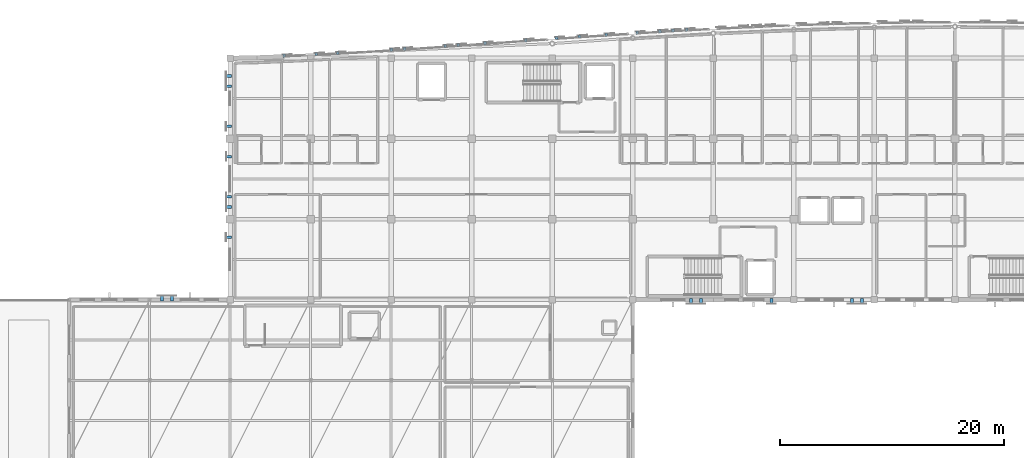
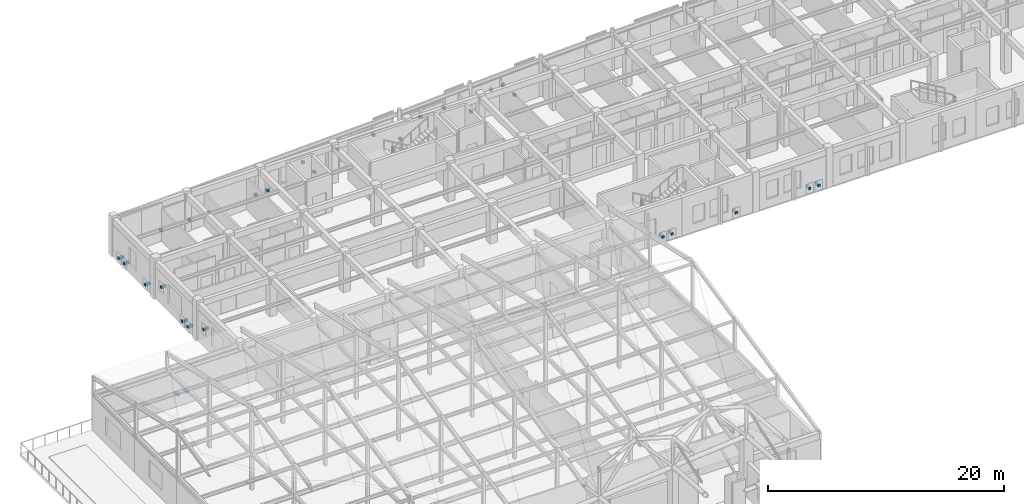
# One storey, part 103 of 113: 30 discrete accessories.
"""IFC4 building model written with IfcOpenShell, lengths in metres."""

import ifcopenshell
import ifcopenshell.guid

model = None  # the IFC model being written
_history = None  # IfcOwnerHistory: only IFC2X3 demands one
_inside = {}  # id of a spatial element -> (the spatial element, [elements in it])
_under = {}  # id of a project, library or spatial element -> (it, [spatial elements below it])
_declared = {}  # id of a project -> (the project, [libraries it declares])
_typed = {}  # id of a type object -> (the type object, [elements of that type])
_made_of = {}  # id of a material, layer set ... -> (it, [elements and type objects made of it])


def new_model(schema):
    """Start an empty IFC model of exactly this schema.

    Asked for "IFC4X3", IfcOpenShell would pick the latest addendum, in which some entities
    have other attributes; the version numbers below select the first issue.
    IFC2X3 requires an IfcOwnerHistory on every rooted entity: one is made here for all.
    """
    global model, _history
    if schema == "IFC4X3":
        model = ifcopenshell.file(schema_version=(4, 3, 0, 0))
    else:
        model = ifcopenshell.file(schema=schema)
    _inside.clear()
    _under.clear()
    _declared.clear()
    _typed.clear()
    _made_of.clear()
    _history = None
    if model.schema == "IFC2X3":
        org = make("IfcOrganization", Name="unknown")
        user = make(
            "IfcPersonAndOrganization",
            ThePerson=make("IfcPerson", FamilyName="unknown"),
            TheOrganization=org,
        )
        app = make(
            "IfcApplication",
            ApplicationDeveloper=org,
            Version="unknown",
            ApplicationFullName="unknown",
            ApplicationIdentifier="unknown",
        )
        _history = make(
            "IfcOwnerHistory",
            OwningUser=user,
            OwningApplication=app,
            ChangeAction="ADDED",
            CreationDate=0,
        )
    return model


def make(cls, **values):
    """One entity of the class cls with the attributes given. An attribute that is None is left unset."""
    return model.create_entity(
        cls, **{name: value for name, value in values.items() if value is not None}
    )


def rooted(cls, **values):
    """An entity with a GlobalId (a new one), such as an element, a storey or a relation."""
    return make(cls, GlobalId=ifcopenshell.guid.new(), OwnerHistory=_history, **values)


def si_unit(unit_type, name, prefix=None):
    """IfcSIUnit, for example si_unit("LENGTHUNIT", "METRE", prefix="MILLI")."""
    return make("IfcSIUnit", UnitType=unit_type, Prefix=prefix, Name=name)


def assignment(units):
    """IfcUnitAssignment: the units of a project."""
    return None if units is None else make("IfcUnitAssignment", Units=units)


def point(xyz):
    """IfcCartesianPoint."""
    return None if xyz is None else make("IfcCartesianPoint", Coordinates=xyz)


def direction(xyz):
    """IfcDirection."""
    return None if xyz is None else make("IfcDirection", DirectionRatios=xyz)


def frame(location, z_axis=None, x_axis=None):
    """IfcAxis2Placement3D, a coordinate frame: its origin and axes. An axis left out is left unset."""
    return make(
        "IfcAxis2Placement3D",
        Location=point(location),
        Axis=direction(z_axis),
        RefDirection=direction(x_axis),
    )


def frame_2d(location, x_axis=None):
    """IfcAxis2Placement2D, a coordinate frame in the plane: its origin and x axis."""
    return make(
        "IfcAxis2Placement2D", Location=point(location), RefDirection=direction(x_axis)
    )


def origin():
    """The frame at (0, 0, 0) with its axes left unset."""
    return frame((0.0, 0.0, 0.0))


def origin_2d():
    """The frame at (0, 0) in the plane with its x axis left unset."""
    return frame_2d((0.0, 0.0))


def place(relative_to, where):
    """IfcLocalPlacement: puts the frame where relative to a parent placement (None: the world)."""
    return make(
        "IfcLocalPlacement", PlacementRelTo=relative_to, RelativePlacement=where
    )


def context(
    kind, dimensions, precision=None, world=None, true_north=None, identifier=None
):
    """IfcGeometricRepresentationContext, for example the 3D "Model" context."""
    return make(
        "IfcGeometricRepresentationContext",
        ContextIdentifier=identifier,
        ContextType=kind,
        CoordinateSpaceDimension=dimensions,
        Precision=precision,
        WorldCoordinateSystem=world,
        TrueNorth=true_north,
    )


def subcontext(parent, identifier, kind, view, scale=None):
    """IfcGeometricRepresentationSubContext, for example "Body" below "Model"."""
    return make(
        "IfcGeometricRepresentationSubContext",
        ContextIdentifier=identifier,
        ContextType=kind,
        ParentContext=parent,
        TargetScale=scale,
        TargetView=view,
    )


def project(units=None, contexts=None):
    """IfcProject with its units and contexts."""
    return rooted(
        "IfcProject",
        Name="project",
        RepresentationContexts=contexts,
        UnitsInContext=assignment(units),
    )


def spatial(cls, under=None, at=None, **own):
    """A site, building, storey or space (cls), placed at a placement, below another one or the project."""
    s = rooted(cls, ObjectPlacement=at, **own)
    if under is not None:
        _under.setdefault(under.id(), (under, []))[1].append(s)
    return s


def profile(cls, at=None, kind="AREA", **sizes):
    """A parametric profile (cls). Its sizes go by their IFC names, for example OverallWidth=200.0."""
    return make(cls, ProfileType=kind, Position=at, **sizes)


def rectangle(**sizes):
    """IfcRectangleProfileDef."""
    return profile("IfcRectangleProfileDef", **sizes)


def extrude(swept, where, along, depth):
    """IfcExtrudedAreaSolid: the profile swept, set in the frame where, extruded along a direction by depth."""
    return make(
        "IfcExtrudedAreaSolid",
        SweptArea=swept,
        Position=where,
        ExtrudedDirection=direction(along),
        Depth=depth,
    )


def shape(context_of_items, identifier, shape_type, items):
    """IfcShapeRepresentation: the items that make up one representation, for example the "Body"."""
    return make(
        "IfcShapeRepresentation",
        ContextOfItems=context_of_items,
        RepresentationIdentifier=identifier,
        RepresentationType=shape_type,
        Items=items,
    )


def material(Name=None, Category=None):
    """IfcMaterial."""
    return make("IfcMaterial", Name=Name, Category=Category)


def made_of(thing, what):
    """Note that an element or type object is made of a material, layer set ...; save() writes the relation."""
    if what is not None:
        _made_of.setdefault(what.id(), (what, []))[1].append(thing)
    return thing


def type_object(cls, material=None, **own):
    """A type object (cls), such as IfcWallType, which elements share."""
    return made_of(rooted(cls, **own), material)


def element(
    cls,
    number,
    at=None,
    inside=None,
    cuts=None,
    type_object=None,
    material=None,
    context=None,
    identifier="Body",
    shape_type=None,
    held_by="IfcProductDefinitionShape",
    body=None,
    shapes=None,
    **own,
):
    """One element of the class cls, such as IfcWall. Its Tag is "e" and its number.

    at: its placement. inside: the storey or other place that contains it. cuts: it is an
    opening in that element (IfcRelVoidsElement). A single representation is given by context,
    identifier, shape_type and body (its items); several are given by shapes. held_by: the class
    of the entity that holds the representations. save() writes the other relations.
    """
    e = rooted(cls, Tag="e%d" % number, ObjectPlacement=at, **own)
    if body is not None:
        shapes = [shape(context, identifier, shape_type, body)]
    if shapes is not None:
        e.Representation = make(held_by, Representations=shapes)
    if inside is not None:
        _inside.setdefault(inside.id(), (inside, []))[1].append(e)
    if cuts is not None:
        rooted(
            "IfcRelVoidsElement", RelatingBuildingElement=cuts, RelatedOpeningElement=e
        )
    if type_object is not None:
        _typed.setdefault(type_object.id(), (type_object, []))[1].append(e)
    return made_of(e, material)


def aggregate(whole, parts):
    """IfcRelAggregates: a whole, such as a stair, and the parts it consists of."""
    return rooted("IfcRelAggregates", RelatingObject=whole, RelatedObjects=parts)


def save(model, path):
    """Write the relations noted so far, then the file.

    IfcRelAggregates (storeys below a building ...), IfcRelContainedInSpatialStructure (elements
    in a storey), IfcRelDefinesByType, IfcRelAssociatesMaterial and IfcRelDeclares: one each for
    every whole, place, type object, material and project.
    """
    for whole, parts in _under.values():
        aggregate(whole, parts)
    for where, things in _inside.values():
        rooted(
            "IfcRelContainedInSpatialStructure",
            RelatedElements=things,
            RelatingStructure=where,
        )
    for kind, things in _typed.values():
        rooted("IfcRelDefinesByType", RelatedObjects=things, RelatingType=kind)
    for what, things in _made_of.values():
        rooted("IfcRelAssociatesMaterial", RelatedObjects=things, RelatingMaterial=what)
    for by, libraries in _declared.values():
        rooted("IfcRelDeclares", RelatingContext=by, RelatedDefinitions=libraries)
    model.write(path)


model = new_model("IFC4")

# Units and contexts
model_context = context("Model", 3, precision=1e-05, world=origin(), true_north=direction((0.0, 1.0)))
body_context = subcontext(model_context, "Body", "Model", "MODEL_VIEW")
ifc_project = project(units=[si_unit("LENGTHUNIT", "METRE"), si_unit("AREAUNIT", "SQUARE_METRE"), si_unit("VOLUMEUNIT", "CUBIC_METRE"), si_unit("PLANEANGLEUNIT", "RADIAN"), si_unit("MASSUNIT", "GRAM", prefix="KILO")], contexts=[model_context])

# Site, building, storey
site_placement = place(None, origin())
site = spatial("IfcSite", under=ifc_project, at=site_placement, CompositionType="ELEMENT")
building_placement = place(site_placement, origin())
building = spatial("IfcBuilding", under=site, at=building_placement, Name="Carrowvane Square Congress Hotel", CompositionType="ELEMENT")
storey_placement = place(building_placement, frame((0.0, 0.0, 15.0)))
storey = spatial("IfcBuildingStorey", under=building, at=storey_placement, Name="L03", CompositionType="ELEMENT", Elevation=15.0)

# Discrete accessories
ifc_material = material(Name="Stainless steel 316", Category="steel")
discrete_accessory_type = type_object("IfcDiscreteAccessoryType", Name="ACC-BRK-SS", PredefinedType="BRACKET", material=ifc_material)
for number, where, z_axis, x_axis, name in (
    (1, (27.10009765625, 91.9599609375, 0.56005859375), (0.0, 0.0, 1.0), (1.0, 0.0, 0.0), "V5 pixel screen bracket 202"),
    (2, (28.0, 91.9599609375, 0.56005859375), (0.0, 0.0, 1.0), (1.0, 0.0, 0.0), "V5 pixel screen bracket 203"),
    (3, (33.0400390625, 97.39990234375, 1.93017578125), (0.0, 0.0, 1.0), (0.0, 1.0, 0.0), "V5 pixel screen bracket 204"),
    (4, (33.0400390625, 100.10009765625, 0.56005859375), (0.0, 0.0, 1.0), (0.0, 1.0, 0.0), "V5 pixel screen bracket 205"),
    (5, (33.0400390625, 101.0, 0.56005859375), (0.0, 0.0, 1.0), (0.0, 1.0, 0.0), "V5 pixel screen bracket 206"),
    (6, (33.0400390625, 104.60009765625, 1.93017578125), (0.0, 0.0, 1.0), (0.0, 1.0, 0.0), "V5 pixel screen bracket 207"),
    (7, (33.0400390625, 107.300048828125, 0.56005859375), (0.0, 0.0, 1.0), (0.0, 1.0, 0.0), "V5 pixel screen bracket 208"),
    (8, (33.0400390625, 110.89990234375, 0.56005859375), (0.0, 0.0, 1.0), (0.0, 1.0, 0.0), "V5 pixel screen bracket 209"),
    (9, (33.0400390625, 111.800048828125, 0.56005859375), (0.0, 0.0, 1.0), (0.0, 1.0, 0.0), "V5 pixel screen bracket 210"),
):
    element("IfcDiscreteAccessory", number, at=place(storey_placement, frame(where, z_axis=z_axis, x_axis=x_axis)), inside=storey, type_object=discrete_accessory_type, Name=name, PredefinedType="BRACKET", context=body_context, shape_type="SweptSolid", body=[
        extrude(rectangle(XDim=0.239990234375, YDim=0.52001953125, at=origin_2d()), origin(), (0.0, 0.0, 1.0), 0.239990234375),
    ])
for number, where, z_axis, x_axis, name in (
    (10, (38.0263671875, 113.622314453125, 0.56005859375), (0.0, 0.0, 1.0), (0.99891730083, 0.046521243556, 0.0), "Pixel screen mullion bracket 211"),
    (11, (40.893798828125, 113.75927734375, 0.56005859375), (0.0, 0.0, 1.0), (0.998566941363, 0.053516947007, 0.0), "Pixel screen mullion bracket 212"),
    (12, (42.8251953125, 113.863037109375, 0.56005859375), (0.0, 0.0, 1.0), (0.998258866948, 0.05898503675, 0.0), "Pixel screen mullion bracket 213"),
    (13, (47.62451171875, 114.1572265625, 0.56005859375), (0.0, 0.0, 1.0), (0.997781458784, 0.066574473385, 0.0), "Pixel screen mullion bracket 214"),
    (14, (48.794677734375, 114.2353515625, 0.56005859375), (0.0, 0.0, 1.0), (0.997781458784, 0.066574473385, 0.0), "Pixel screen mullion bracket 215"),
    (15, (52.42431640625, 114.4833984375, 2.02978515625), (0.0, 0.0, 1.0), (0.997505756275, 0.070585169822, 0.0), "Pixel screen mullion bracket 216"),
    (16, (53.59423828125, 114.566162109375, 0.56005859375), (0.0, 0.0, 1.0), (0.997505756275, 0.070585169822, 0.0), "Pixel screen mullion bracket 217"),
    (17, (55.994384765625, 114.737060546875, 2.02978515625), (0.0, 0.0, 1.0), (0.997446326449, 0.071420066188, 0.0), "Pixel screen mullion bracket 218"),
    (18, (59.629150390625, 114.99755859375, 2.02978515625), (0.0, 0.0, 1.0), (0.997479379392, 0.070956942496, 0.0), "Pixel screen mullion bracket 219"),
    (19, (62.381591796875, 115.19287109375, 0.56005859375), (0.0, 0.0, 1.0), (0.997566258056, 0.069724893606, 0.0), "Pixel screen mullion bracket 220"),
    (20, (64.429443359375, 115.3359375, 2.02978515625), (0.0, 0.0, 1.0), (0.9976944394, 0.067866085713, 0.0), "Pixel screen mullion bracket 221"),
    (21, (66.82470703125, 115.498779296875, 2.02978515625), (0.0, 0.0, 1.0), (0.99785825325, 0.065413350476, 0.0), "Pixel screen mullion bracket 222"),
    (22, (69.58984375, 115.6787109375, 0.56005859375), (0.0, 0.0, 1.0), (0.998051413269, 0.062396926785, 0.0), "Pixel screen mullion bracket 223"),
    (23, (71.625244140625, 115.805908203125, 2.02978515625), (0.0, 0.0, 1.0), (0.998266695506, 0.05885239709, 0.0), "Pixel screen mullion bracket 224"),
    (24, (72.79541015625, 115.875, 2.02978515625), (0.0, 0.0, 1.0), (0.998266695506, 0.05885239709, 0.0), "Pixel screen mullion bracket 225"),
    (25, (74.030517578125, 115.947509765625, 0.56005859375), (0.0, 0.0, 1.0), (0.998496552462, 0.054814548441, 0.0), "Pixel screen mullion bracket 226"),
):
    element("IfcDiscreteAccessory", number, at=place(storey_placement, frame(where, z_axis=z_axis, x_axis=x_axis)), inside=storey, type_object=discrete_accessory_type, Name=name, PredefinedType="BRACKET", context=body_context, shape_type="SweptSolid", body=[
        extrude(rectangle(XDim=0.239990234375, YDim=0.280029296875, at=origin_2d()), origin(), (0.0, 0.0, 1.0), 0.239990234375),
    ])
for number, where, z_axis, x_axis, name in (
    (26, (89.699951171875, 91.639892578125, 0.56005859375), (0.0, 0.0, 1.0), (-1.0, 0.0, 0.0), "V5 pixel screen bracket 284"),
    (27, (88.800048828125, 91.639892578125, 0.56005859375), (0.0, 0.0, 1.0), (-1.0, 0.0, 0.0), "V5 pixel screen bracket 285"),
    (28, (81.60009765625, 91.639892578125, 0.56005859375), (0.0, 0.0, 1.0), (-1.0, 0.0, 0.0), "V5 pixel screen bracket 286"),
    (29, (75.300048828125, 91.639892578125, 0.56005859375), (0.0, 0.0, 1.0), (-1.0, 0.0, 0.0), "V5 pixel screen bracket 287"),
    (30, (74.39990234375, 91.639892578125, 0.56005859375), (0.0, 0.0, 1.0), (-1.0, 0.0, 0.0), "V5 pixel screen bracket 288"),
):
    element("IfcDiscreteAccessory", number, at=place(storey_placement, frame(where, z_axis=z_axis, x_axis=x_axis)), inside=storey, type_object=discrete_accessory_type, Name=name, PredefinedType="BRACKET", context=body_context, shape_type="SweptSolid", body=[
        extrude(rectangle(XDim=0.239990234375, YDim=0.52001953125, at=origin_2d()), origin(), (0.0, 0.0, 1.0), 0.239990234375),
    ])

save(model, "model.ifc")
